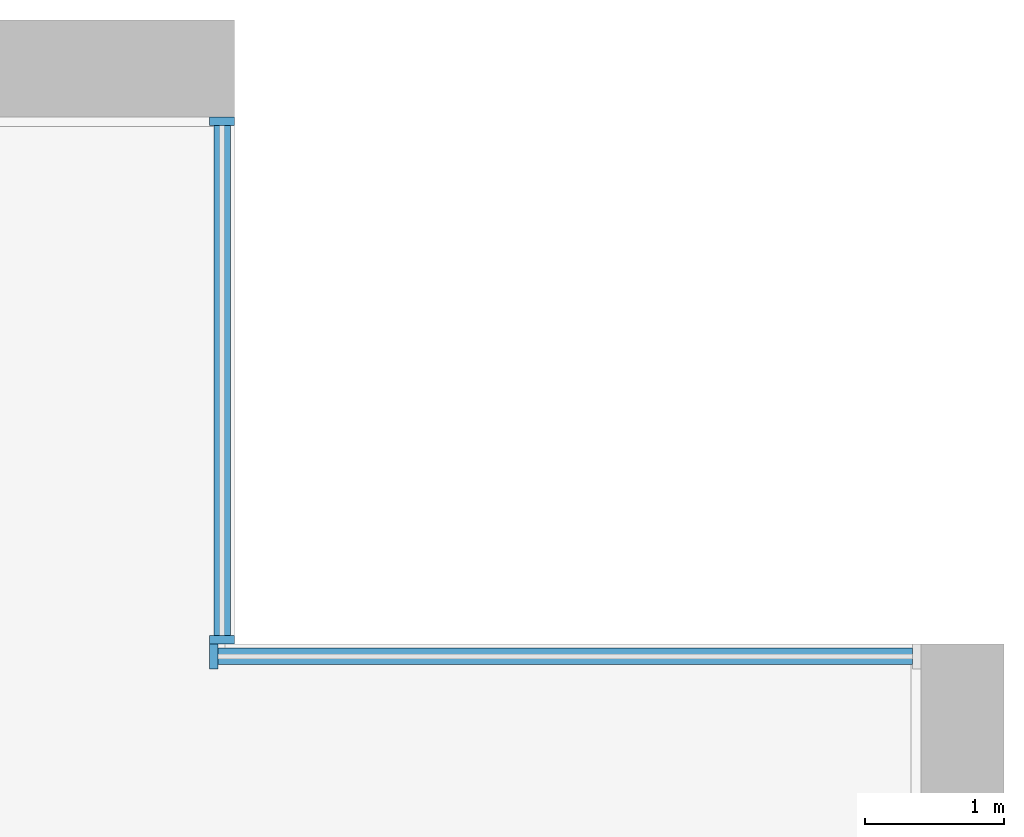
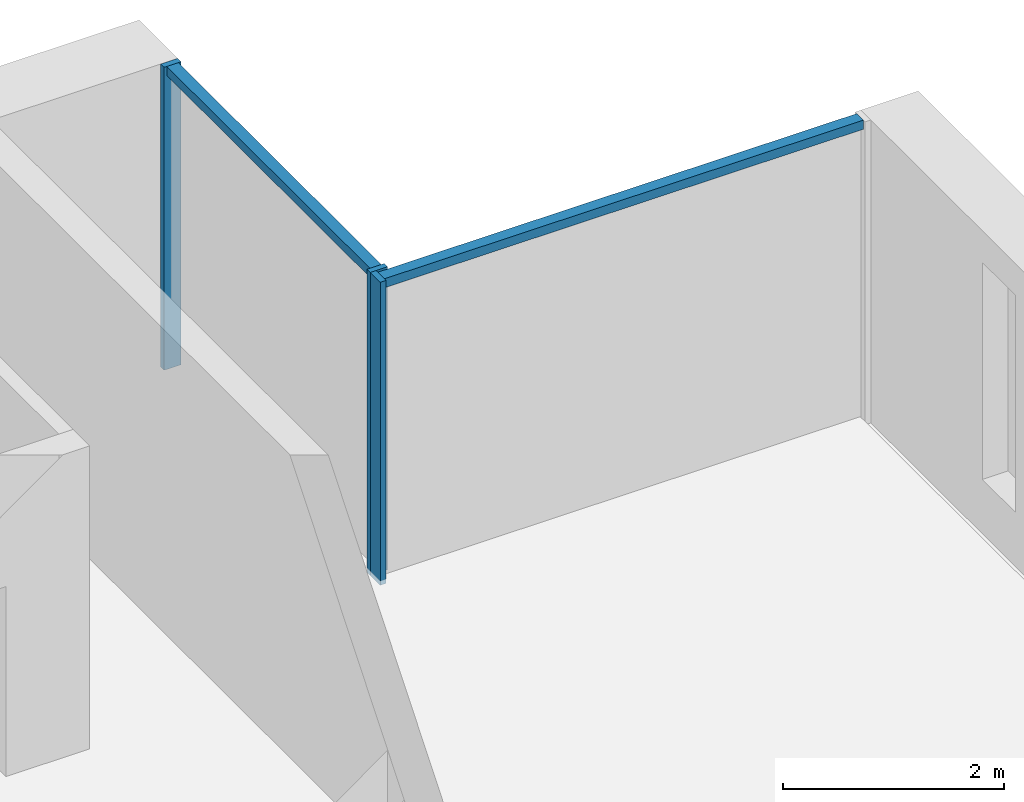
# One storey, part 5 of 17: 5 members, 2 elements without a shape of their own.
"""IFC4 building model written with IfcOpenShell, lengths in metres."""

import ifcopenshell
import ifcopenshell.guid

model = None  # the IFC model being written
_history = None  # IfcOwnerHistory: only IFC2X3 demands one
_inside = {}  # id of a spatial element -> (the spatial element, [elements in it])
_under = {}  # id of a project, library or spatial element -> (it, [spatial elements below it])
_declared = {}  # id of a project -> (the project, [libraries it declares])
_typed = {}  # id of a type object -> (the type object, [elements of that type])
_made_of = {}  # id of a material, layer set ... -> (it, [elements and type objects made of it])


def new_model(schema):
    """Start an empty IFC model of exactly this schema.

    Asked for "IFC4X3", IfcOpenShell would pick the latest addendum, in which some entities
    have other attributes; the version numbers below select the first issue.
    IFC2X3 requires an IfcOwnerHistory on every rooted entity: one is made here for all.
    """
    global model, _history
    if schema == "IFC4X3":
        model = ifcopenshell.file(schema_version=(4, 3, 0, 0))
    else:
        model = ifcopenshell.file(schema=schema)
    _inside.clear()
    _under.clear()
    _declared.clear()
    _typed.clear()
    _made_of.clear()
    _history = None
    if model.schema == "IFC2X3":
        org = make("IfcOrganization", Name="unknown")
        user = make(
            "IfcPersonAndOrganization",
            ThePerson=make("IfcPerson", FamilyName="unknown"),
            TheOrganization=org,
        )
        app = make(
            "IfcApplication",
            ApplicationDeveloper=org,
            Version="unknown",
            ApplicationFullName="unknown",
            ApplicationIdentifier="unknown",
        )
        _history = make(
            "IfcOwnerHistory",
            OwningUser=user,
            OwningApplication=app,
            ChangeAction="ADDED",
            CreationDate=0,
        )
    return model


def make(cls, **values):
    """One entity of the class cls with the attributes given. An attribute that is None is left unset."""
    return model.create_entity(
        cls, **{name: value for name, value in values.items() if value is not None}
    )


def rooted(cls, **values):
    """An entity with a GlobalId (a new one), such as an element, a storey or a relation."""
    return make(cls, GlobalId=ifcopenshell.guid.new(), OwnerHistory=_history, **values)


def si_unit(unit_type, name, prefix=None):
    """IfcSIUnit, for example si_unit("LENGTHUNIT", "METRE", prefix="MILLI")."""
    return make("IfcSIUnit", UnitType=unit_type, Prefix=prefix, Name=name)


def assignment(units):
    """IfcUnitAssignment: the units of a project."""
    return None if units is None else make("IfcUnitAssignment", Units=units)


def point(xyz):
    """IfcCartesianPoint."""
    return None if xyz is None else make("IfcCartesianPoint", Coordinates=xyz)


def direction(xyz):
    """IfcDirection."""
    return None if xyz is None else make("IfcDirection", DirectionRatios=xyz)


def frame(location, z_axis=None, x_axis=None):
    """IfcAxis2Placement3D, a coordinate frame: its origin and axes. An axis left out is left unset."""
    return make(
        "IfcAxis2Placement3D",
        Location=point(location),
        Axis=direction(z_axis),
        RefDirection=direction(x_axis),
    )


def frame_2d(location, x_axis=None):
    """IfcAxis2Placement2D, a coordinate frame in the plane: its origin and x axis."""
    return make(
        "IfcAxis2Placement2D", Location=point(location), RefDirection=direction(x_axis)
    )


def origin():
    """The frame at (0, 0, 0) with its axes left unset."""
    return frame((0.0, 0.0, 0.0))


def origin_2d():
    """The frame at (0, 0) in the plane with its x axis left unset."""
    return frame_2d((0.0, 0.0))


def place(relative_to, where):
    """IfcLocalPlacement: puts the frame where relative to a parent placement (None: the world)."""
    return make(
        "IfcLocalPlacement", PlacementRelTo=relative_to, RelativePlacement=where
    )


def context(
    kind, dimensions, precision=None, world=None, true_north=None, identifier=None
):
    """IfcGeometricRepresentationContext, for example the 3D "Model" context."""
    return make(
        "IfcGeometricRepresentationContext",
        ContextIdentifier=identifier,
        ContextType=kind,
        CoordinateSpaceDimension=dimensions,
        Precision=precision,
        WorldCoordinateSystem=world,
        TrueNorth=true_north,
    )


def subcontext(parent, identifier, kind, view, scale=None):
    """IfcGeometricRepresentationSubContext, for example "Body" below "Model"."""
    return make(
        "IfcGeometricRepresentationSubContext",
        ContextIdentifier=identifier,
        ContextType=kind,
        ParentContext=parent,
        TargetScale=scale,
        TargetView=view,
    )


def project(units=None, contexts=None):
    """IfcProject with its units and contexts."""
    return rooted(
        "IfcProject",
        Name="project",
        RepresentationContexts=contexts,
        UnitsInContext=assignment(units),
    )


def spatial(cls, under=None, at=None, **own):
    """A site, building, storey or space (cls), placed at a placement, below another one or the project."""
    s = rooted(cls, ObjectPlacement=at, **own)
    if under is not None:
        _under.setdefault(under.id(), (under, []))[1].append(s)
    return s


def profile(cls, at=None, kind="AREA", **sizes):
    """A parametric profile (cls). Its sizes go by their IFC names, for example OverallWidth=200.0."""
    return make(cls, ProfileType=kind, Position=at, **sizes)


def rectangle(**sizes):
    """IfcRectangleProfileDef."""
    return profile("IfcRectangleProfileDef", **sizes)


def extrude(swept, where, along, depth):
    """IfcExtrudedAreaSolid: the profile swept, set in the frame where, extruded along a direction by depth."""
    return make(
        "IfcExtrudedAreaSolid",
        SweptArea=swept,
        Position=where,
        ExtrudedDirection=direction(along),
        Depth=depth,
    )


def shape(context_of_items, identifier, shape_type, items):
    """IfcShapeRepresentation: the items that make up one representation, for example the "Body"."""
    return make(
        "IfcShapeRepresentation",
        ContextOfItems=context_of_items,
        RepresentationIdentifier=identifier,
        RepresentationType=shape_type,
        Items=items,
    )


def material(Name=None, Category=None):
    """IfcMaterial."""
    return make("IfcMaterial", Name=Name, Category=Category)


def material_profile(
    of_material, cross_section, Name=None, Category=None, Priority=None
):
    """IfcMaterialProfile: a cross section and its material."""
    return make(
        "IfcMaterialProfile",
        Name=Name,
        Material=of_material,
        Profile=cross_section,
        Priority=Priority,
        Category=Category,
    )


def profile_set(profiles, Name=None, composite=None):
    """IfcMaterialProfileSet."""
    return make(
        "IfcMaterialProfileSet",
        Name=Name,
        MaterialProfiles=profiles,
        CompositeProfile=composite,
    )


def made_of(thing, what):
    """Note that an element or type object is made of a material, layer set ...; save() writes the relation."""
    if what is not None:
        _made_of.setdefault(what.id(), (what, []))[1].append(thing)
    return thing


def type_object(cls, material=None, **own):
    """A type object (cls), such as IfcWallType, which elements share."""
    return made_of(rooted(cls, **own), material)


def element(
    cls,
    number,
    at=None,
    inside=None,
    cuts=None,
    type_object=None,
    material=None,
    context=None,
    identifier="Body",
    shape_type=None,
    held_by="IfcProductDefinitionShape",
    body=None,
    shapes=None,
    **own,
):
    """One element of the class cls, such as IfcWall. Its Tag is "e" and its number.

    at: its placement. inside: the storey or other place that contains it. cuts: it is an
    opening in that element (IfcRelVoidsElement). A single representation is given by context,
    identifier, shape_type and body (its items); several are given by shapes. held_by: the class
    of the entity that holds the representations. save() writes the other relations.
    """
    e = rooted(cls, Tag="e%d" % number, ObjectPlacement=at, **own)
    if body is not None:
        shapes = [shape(context, identifier, shape_type, body)]
    if shapes is not None:
        e.Representation = make(held_by, Representations=shapes)
    if inside is not None:
        _inside.setdefault(inside.id(), (inside, []))[1].append(e)
    if cuts is not None:
        rooted(
            "IfcRelVoidsElement", RelatingBuildingElement=cuts, RelatedOpeningElement=e
        )
    if type_object is not None:
        _typed.setdefault(type_object.id(), (type_object, []))[1].append(e)
    return made_of(e, material)


def aggregate(whole, parts):
    """IfcRelAggregates: a whole, such as a stair, and the parts it consists of."""
    return rooted("IfcRelAggregates", RelatingObject=whole, RelatedObjects=parts)


def save(model, path):
    """Write the relations noted so far, then the file.

    IfcRelAggregates (storeys below a building ...), IfcRelContainedInSpatialStructure (elements
    in a storey), IfcRelDefinesByType, IfcRelAssociatesMaterial and IfcRelDeclares: one each for
    every whole, place, type object, material and project.
    """
    for whole, parts in _under.values():
        aggregate(whole, parts)
    for where, things in _inside.values():
        rooted(
            "IfcRelContainedInSpatialStructure",
            RelatedElements=things,
            RelatingStructure=where,
        )
    for kind, things in _typed.values():
        rooted("IfcRelDefinesByType", RelatedObjects=things, RelatingType=kind)
    for what, things in _made_of.values():
        rooted("IfcRelAssociatesMaterial", RelatedObjects=things, RelatingMaterial=what)
    for by, libraries in _declared.values():
        rooted("IfcRelDeclares", RelatingContext=by, RelatedDefinitions=libraries)
    model.write(path)


model = new_model("IFC4")

# Units and contexts
model_context = context("Model", 3, precision=1e-05, world=origin(), true_north=direction((0.0, 1.0)))
body_context = subcontext(model_context, "Body", "Model", "MODEL_VIEW")
ifc_project = project(units=[si_unit("LENGTHUNIT", "METRE"), si_unit("AREAUNIT", "SQUARE_METRE"), si_unit("VOLUMEUNIT", "CUBIC_METRE"), si_unit("PLANEANGLEUNIT", "RADIAN"), si_unit("MASSUNIT", "GRAM", prefix="KILO")], contexts=[model_context])

# Site, building, storey
site_placement = place(None, origin())
site = spatial("IfcSite", under=ifc_project, at=site_placement, CompositionType="ELEMENT")
building_placement = place(site_placement, origin())
building = spatial("IfcBuilding", under=site, at=building_placement, Name="Calvaro Tower", CompositionType="ELEMENT")
storey_placement = place(building_placement, frame((0.0, 0.0, 193.0)))
storey = spatial("IfcBuildingStorey", under=building, at=storey_placement, Name="L48", CompositionType="ELEMENT", Elevation=193.0)

# Curtain wall, members
ifc_material_1 = material(Name="Anodised aluminium", Category="aluminium")
curtain_wall_type = type_object("IfcCurtainWallType", Name="Office curtain wall, upper zone", PredefinedType="NOTDEFINED", material=ifc_material_1)
curtain_wall_1_placement = place(storey_placement, origin())
curtain_wall_1 = element("IfcCurtainWall", 1, at=curtain_wall_1_placement, inside=storey, type_object=curtain_wall_type, Name="CW3 corner curtain wall", PredefinedType="NOTDEFINED")
ifc_material_2 = material(Name="Anodised aluminium", Category="aluminium")
ifc_material_profile_1 = material_profile(ifc_material_2, rectangle(XDim=0.179931640625, YDim=0.06005859375, at=origin_2d()), Name="Mullion S3 60 x 180")
ifc_profile_set_1 = profile_set([ifc_material_profile_1], Name="Anodised aluminium")
member_type_1 = type_object("IfcMemberType", Name="Mullion S3 60 x 180", PredefinedType="MULLION", material=ifc_profile_set_1)
member_1_placement = place(storey_placement, frame((66.360107421875, 41.530029296875, 0.0), z_axis=(0.0, 0.0, 1.0), x_axis=(-1.0, 0.0, 0.0)))
member_1 = element("IfcMember", 2, at=member_1_placement, type_object=member_type_1, Name="CW3 mullion 1", PredefinedType="MULLION", context=body_context, shape_type="SweptSolid", body=[
    extrude(rectangle(XDim=0.179931640625, YDim=0.06005859375, at=origin_2d()), origin(), (0.0, 0.0, 1.0), 3.35009765625),
])
member_2_placement = place(storey_placement, frame((66.360107421875, 45.27001953125, 0.0), z_axis=(0.0, 0.0, 1.0), x_axis=(-1.0, 0.0, 0.0)))
member_2 = element("IfcMember", 3, at=member_2_placement, type_object=member_type_1, Name="CW3 mullion 2", PredefinedType="MULLION", context=body_context, shape_type="SweptSolid", body=[
    extrude(rectangle(XDim=0.179931640625, YDim=0.06005859375, at=origin_2d()), origin(), (0.0, 0.0, 1.0), 3.35009765625),
])

# Curtain wall, member
curtain_wall_2_placement = place(storey_placement, origin())
curtain_wall_2 = element("IfcCurtainWall", 4, at=curtain_wall_2_placement, inside=storey, type_object=curtain_wall_type, Name="CW3 corner curtain wall", PredefinedType="NOTDEFINED")
member_3_placement = place(storey_placement, frame((66.300048828125, 41.409912109375, 0.0), z_axis=(0.0, 0.0, 1.0), x_axis=(0.0, 1.0, 0.0)))
member_3 = element("IfcMember", 5, at=member_3_placement, type_object=member_type_1, Name="CW3 mullion 1", PredefinedType="MULLION", context=body_context, shape_type="SweptSolid", body=[
    extrude(rectangle(XDim=0.179931640625, YDim=0.06005859375, at=origin_2d()), origin(), (0.0, 0.0, 1.0), 3.35009765625),
])

# Member
ifc_material_3 = material(Name="Anodised aluminium", Category="aluminium")
ifc_material_profile_2 = material_profile(ifc_material_3, rectangle(XDim=0.1201171875, YDim=0.10009765625, at=origin_2d()), Name="Transom S3 100 x 120")
ifc_profile_set_2 = profile_set([ifc_material_profile_2], Name="Anodised aluminium")
member_type_2 = type_object("IfcMemberType", Name="Transom S3 100 x 120", PredefinedType="USERDEFINED", material=ifc_profile_set_2)
member_4_placement = place(storey_placement, frame((66.360107421875, 41.56005859375, 3.300048828125), z_axis=(0.0, 1.0, 0.0), x_axis=(-1.0, 0.0, 0.0)))
member_4 = element("IfcMember", 6, at=member_4_placement, type_object=member_type_2, Name="CW3 transom 1.1", ObjectType="TRANSOM", PredefinedType="USERDEFINED", context=body_context, shape_type="SweptSolid", body=[
    extrude(rectangle(XDim=0.1201171875, YDim=0.10009765625, at=origin_2d()), origin(), (0.0, 0.0, 1.0), 3.679931640625),
])

aggregate(curtain_wall_1, [member_1, member_2, member_4])

member_5_placement = place(storey_placement, frame((66.330078125, 41.409912109375, 3.300048828125), z_axis=(1.0, 0.0, 0.0), x_axis=(0.0, 1.0, 0.0)))
member_5 = element("IfcMember", 7, at=member_5_placement, type_object=member_type_2, Name="CW3 transom 1.1", ObjectType="TRANSOM", PredefinedType="USERDEFINED", context=body_context, shape_type="SweptSolid", body=[
    extrude(rectangle(XDim=0.1201171875, YDim=0.10009765625, at=origin_2d()), origin(), (0.0, 0.0, 1.0), 5.010009765625),
])

aggregate(curtain_wall_2, [member_3, member_5])

save(model, "model.ifc")
